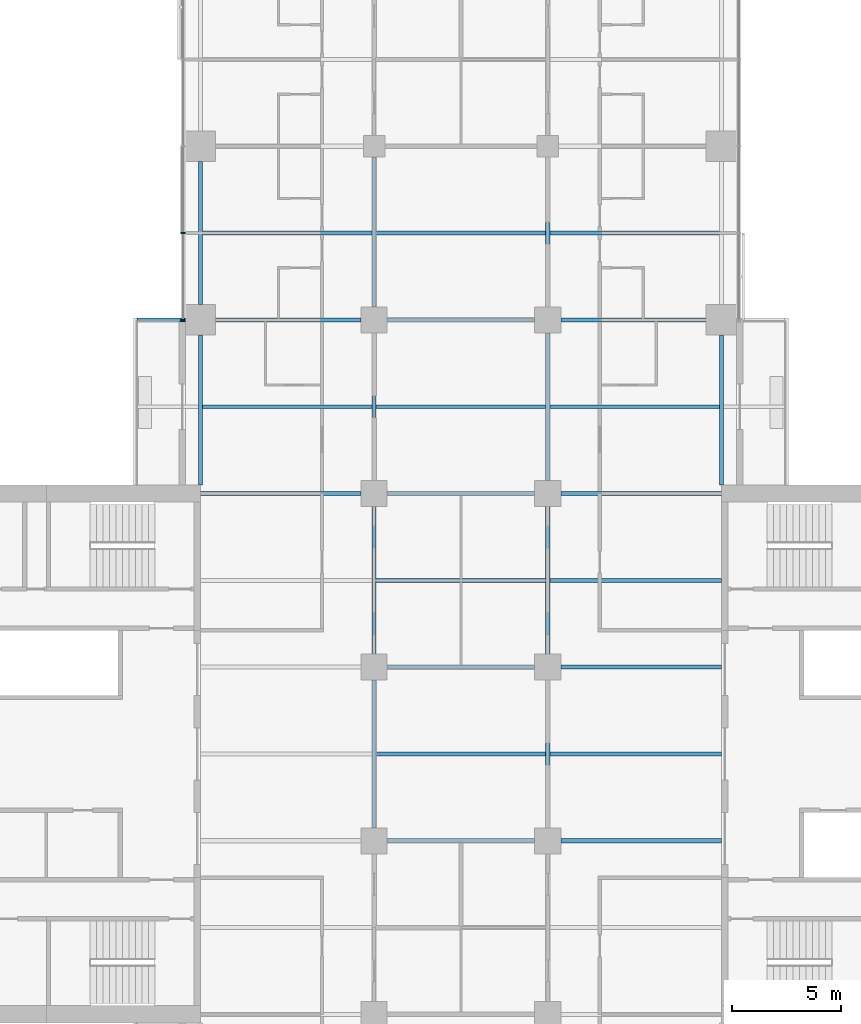
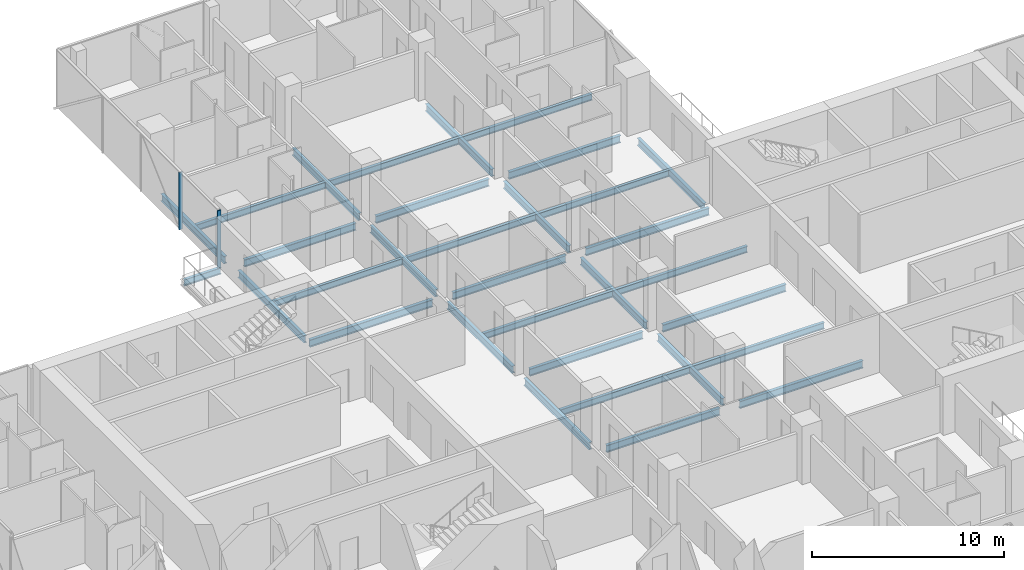
# One storey, part 9 of 29: 32 beams, 2 members, 1 element without a shape of its own.
"""IFC4 building model written with IfcOpenShell, lengths in metres."""

from ifc_helpers import new_model, si_unit, direction, frame, origin, origin_2d, place, context, subcontext, project, spatial, rectangle, i_section, extrude, material, material_profile, profile_set, type_object, element, aggregate, save


model = new_model("IFC4")

# Units and contexts
model_context = context("Model", 3, precision=1e-05, world=origin(), true_north=direction((0.0, 1.0)))
body_context = subcontext(model_context, "Body", "Model", "MODEL_VIEW")
ifc_project = project(units=[si_unit("LENGTHUNIT", "METRE"), si_unit("AREAUNIT", "SQUARE_METRE"), si_unit("VOLUMEUNIT", "CUBIC_METRE"), si_unit("PLANEANGLEUNIT", "RADIAN"), si_unit("MASSUNIT", "GRAM", prefix="KILO")], contexts=[model_context])

# Site, building, storey
site_placement = place(None, origin())
site = spatial("IfcSite", under=ifc_project, at=site_placement, CompositionType="ELEMENT")
building_placement = place(site_placement, origin())
building = spatial("IfcBuilding", under=site, at=building_placement, Name="Crosswind Convention Tower", CompositionType="ELEMENT")
storey_placement = place(building_placement, frame((0.0, 0.0, 53.5)))
storey = spatial("IfcBuildingStorey", under=building, at=storey_placement, Name="L07", CompositionType="ELEMENT", Elevation=53.5)

# Beams
ifc_material_1 = material(Name="Steel S355", Category="steel")
ifc_material_profile_1 = material_profile(ifc_material_1, i_section(OverallWidth=0.177734375, OverallDepth=0.406494140625, WebThickness=0.0078125, FlangeThickness=0.0126953125, FilletRadius=0.01025390625, at=origin_2d()), Name="UB 406x178x60")
ifc_profile_set_1 = profile_set([ifc_material_profile_1], Name="Steel S355")
beam_type_1 = type_object("IfcBeamType", Name="Balcony cantilever UB 406x178x60", PredefinedType="BEAM", material=ifc_profile_set_1)
beam_1_placement = place(storey_placement, frame((112.300048828125, 120.0, -0.483154296875), z_axis=(-1.0, 0.0, 0.0), x_axis=(0.0, -1.0, 0.0)))
element("IfcBeam", 1, at=beam_1_placement, inside=storey, type_object=beam_type_1, Name="B35 L07 balcony cantilever NW 5", PredefinedType="BEAM", context=body_context, shape_type="SweptSolid", body=[
    extrude(i_section(OverallWidth=0.177734375, OverallDepth=0.406494140625, WebThickness=0.0078125, FlangeThickness=0.0126953125, FilletRadius=0.01025390625, at=origin_2d()), origin(), (0.0, 0.0, 1.0), 2.214599609375),
])
ifc_material_profile_2 = material_profile(ifc_material_1, i_section(OverallWidth=0.1904296875, OverallDepth=0.457275390625, WebThickness=0.009033203125, FlangeThickness=0.014404296875, FilletRadius=0.01025390625, at=origin_2d()), Name="UB 457x191x75")
ifc_profile_set_2 = profile_set([ifc_material_profile_2], Name="Steel S355")
beam_type_2 = type_object("IfcBeamType", Name="Edge beam UB 457x191x75", PredefinedType="SPANDREL", material=ifc_profile_set_2)
beam_2_placement = place(storey_placement, frame((113.0, 112.39990234375, -0.508544921875), z_axis=(0.0, 1.0, 0.0), x_axis=(-1.0, 0.0, 0.0)))
element("IfcBeam", 2, at=beam_2_placement, inside=storey, type_object=beam_type_2, Name="B17 L07 edge beam 9", PredefinedType="SPANDREL", context=body_context, shape_type="SweptSolid", body=[
    extrude(i_section(OverallWidth=0.1904296875, OverallDepth=0.457275390625, WebThickness=0.009033203125, FlangeThickness=0.014404296875, FilletRadius=0.01025390625, at=origin_2d()), origin(), (0.0, 0.0, 1.0), 6.900146484375),
])
beam_3_placement = place(storey_placement, frame((113.0, 120.699951171875, -0.508544921875), z_axis=(0.0, 1.0, 0.0), x_axis=(-1.0, 0.0, 0.0)))
element("IfcBeam", 3, at=beam_3_placement, inside=storey, type_object=beam_type_2, Name="B17 L07 edge beam 10", PredefinedType="SPANDREL", context=body_context, shape_type="SweptSolid", body=[
    extrude(i_section(OverallWidth=0.1904296875, OverallDepth=0.457275390625, WebThickness=0.009033203125, FlangeThickness=0.014404296875, FilletRadius=0.01025390625, at=origin_2d()), origin(), (0.0, 0.0, 1.0), 6.60009765625),
])
beam_4_placement = place(storey_placement, frame((137.0, 112.39990234375, -0.508544921875), z_axis=(0.0, 1.0, 0.0), x_axis=(-1.0, 0.0, 0.0)))
element("IfcBeam", 4, at=beam_4_placement, inside=storey, type_object=beam_type_2, Name="B17 L07 edge beam 21", PredefinedType="SPANDREL", context=body_context, shape_type="SweptSolid", body=[
    extrude(i_section(OverallWidth=0.1904296875, OverallDepth=0.457275390625, WebThickness=0.009033203125, FlangeThickness=0.014404296875, FilletRadius=0.01025390625, at=origin_2d()), origin(), (0.0, 0.0, 1.0), 6.900146484375),
])
ifc_material_profile_3 = material_profile(ifc_material_1, i_section(OverallWidth=0.19140625, OverallDepth=0.460205078125, WebThickness=0.010009765625, FlangeThickness=0.01611328125, FilletRadius=0.01025390625, at=origin_2d()), Name="UB 457x191x82")
ifc_profile_set_3 = profile_set([ifc_material_profile_3], Name="Steel S355")
beam_type_3 = type_object("IfcBeamType", Name="Girder UB 457x191x82", PredefinedType="BEAM", material=ifc_profile_set_3)
beam_5_placement = place(storey_placement, frame((113.699951171875, 120.0, -0.510009765625), z_axis=(1.0, 0.0, 0.0), x_axis=(0.0, 1.0, 0.0)))
element("IfcBeam", 5, at=beam_5_placement, inside=storey, type_object=beam_type_3, Name="B3 L07 girder 3", PredefinedType="BEAM", context=body_context, shape_type="SweptSolid", body=[
    extrude(i_section(OverallWidth=0.19140625, OverallDepth=0.460205078125, WebThickness=0.010009765625, FlangeThickness=0.01611328125, FilletRadius=0.01025390625, at=origin_2d()), origin(), (0.0, 0.0, 1.0), 6.699951171875),
])
for number, where, z_axis, x_axis, name in (
    (6, (121.0, 96.60009765625, -0.510009765625), (0.0, 1.0, 0.0), (-1.0, 0.0, 0.0), "B3 L07 girder 9"),
    (7, (121.0, 104.60009765625, -0.510009765625), (0.0, 1.0, 0.0), (-1.0, 0.0, 0.0), "B3 L07 girder 10"),
    (8, (121.0, 112.60009765625, -0.510009765625), (0.0, 1.0, 0.0), (-1.0, 0.0, 0.0), "B3 L07 girder 11"),
):
    element("IfcBeam", number, at=place(storey_placement, frame(where, z_axis=z_axis, x_axis=x_axis)), inside=storey, type_object=beam_type_3, Name=name, PredefinedType="BEAM", context=body_context, shape_type="SweptSolid", body=[
        extrude(i_section(OverallWidth=0.19140625, OverallDepth=0.460205078125, WebThickness=0.010009765625, FlangeThickness=0.01611328125, FilletRadius=0.01025390625, at=origin_2d()), origin(), (0.0, 0.0, 1.0), 6.7998046875),
    ])
beam_6_placement = place(storey_placement, frame((121.0, 120.60009765625, -0.510009765625), z_axis=(0.0, 1.0, 0.0), x_axis=(-1.0, 0.0, 0.0)))
element("IfcBeam", 9, at=beam_6_placement, inside=storey, type_object=beam_type_3, Name="B3 L07 girder 12", PredefinedType="BEAM", context=body_context, shape_type="SweptSolid", body=[
    extrude(i_section(OverallWidth=0.19140625, OverallDepth=0.460205078125, WebThickness=0.010009765625, FlangeThickness=0.01611328125, FilletRadius=0.01025390625, at=origin_2d()), origin(), (0.0, 0.0, 1.0), 6.89990234375),
])
for number, where, z_axis, x_axis, name in (
    (10, (121.60009765625, 96.0, -0.510009765625), (1.0, 0.0, 0.0), (0.0, 1.0, 0.0), "B3 L07 girder 18"),
    (11, (121.60009765625, 104.0, -0.510009765625), (1.0, 0.0, 0.0), (0.0, 1.0, 0.0), "B3 L07 girder 19"),
    (12, (121.60009765625, 112.0, -0.510009765625), (1.0, 0.0, 0.0), (0.0, 1.0, 0.0), "B3 L07 girder 20"),
    (13, (121.60009765625, 120.0, -0.510009765625), (1.0, 0.0, 0.0), (0.0, 1.0, 0.0), "B3 L07 girder 21"),
    (14, (129.0, 96.60009765625, -0.510009765625), (0.0, 1.0, 0.0), (-1.0, 0.0, 0.0), "B3 L07 girder 26"),
    (15, (129.0, 104.60009765625, -0.510009765625), (0.0, 1.0, 0.0), (-1.0, 0.0, 0.0), "B3 L07 girder 27"),
    (16, (129.0, 112.60009765625, -0.510009765625), (0.0, 1.0, 0.0), (-1.0, 0.0, 0.0), "B3 L07 girder 28"),
):
    element("IfcBeam", number, at=place(storey_placement, frame(where, z_axis=z_axis, x_axis=x_axis)), inside=storey, type_object=beam_type_3, Name=name, PredefinedType="BEAM", context=body_context, shape_type="SweptSolid", body=[
        extrude(i_section(OverallWidth=0.19140625, OverallDepth=0.460205078125, WebThickness=0.010009765625, FlangeThickness=0.01611328125, FilletRadius=0.01025390625, at=origin_2d()), origin(), (0.0, 0.0, 1.0), 6.7998046875),
    ])
beam_7_placement = place(storey_placement, frame((129.0, 120.60009765625, -0.510009765625), z_axis=(0.0, 1.0, 0.0), x_axis=(-1.0, 0.0, 0.0)))
element("IfcBeam", 17, at=beam_7_placement, inside=storey, type_object=beam_type_3, Name="B3 L07 girder 29", PredefinedType="BEAM", context=body_context, shape_type="SweptSolid", body=[
    extrude(i_section(OverallWidth=0.19140625, OverallDepth=0.460205078125, WebThickness=0.010009765625, FlangeThickness=0.01611328125, FilletRadius=0.01025390625, at=origin_2d()), origin(), (0.0, 0.0, 1.0), 6.89990234375),
])
beam_8_placement = place(storey_placement, frame((129.60009765625, 120.0, -0.510009765625), z_axis=(1.0, 0.0, 0.0), x_axis=(0.0, 1.0, 0.0)))
element("IfcBeam", 18, at=beam_8_placement, inside=storey, type_object=beam_type_3, Name="B3 L07 girder 34", PredefinedType="BEAM", context=body_context, shape_type="SweptSolid", body=[
    extrude(i_section(OverallWidth=0.19140625, OverallDepth=0.460205078125, WebThickness=0.010009765625, FlangeThickness=0.01611328125, FilletRadius=0.01025390625, at=origin_2d()), origin(), (0.0, 0.0, 1.0), 6.699951171875),
])
ifc_material_profile_4 = material_profile(ifc_material_1, i_section(OverallWidth=0.19189453125, OverallDepth=0.463623046875, WebThickness=0.010498046875, FlangeThickness=0.017578125, FilletRadius=0.01025390625, at=origin_2d()), Name="UB 457x191x90")
ifc_profile_set_4 = profile_set([ifc_material_profile_4], Name="Steel S355")
beam_type_4 = type_object("IfcBeamType", Name="Girder at core wall UB 457x191x90", PredefinedType="BEAM", material=ifc_profile_set_4)
for number, where, z_axis, x_axis, name in (
    (19, (113.0, 112.0, -0.51171875), (1.0, 0.0, 0.0), (0.0, 1.0, 0.0), "B24 L07 girder at core wall 6"),
    (20, (129.60009765625, 96.0, -0.51171875), (1.0, 0.0, 0.0), (0.0, 1.0, 0.0), "B24 L07 girder at core wall 8"),
    (21, (129.60009765625, 104.0, -0.51171875), (1.0, 0.0, 0.0), (0.0, 1.0, 0.0), "B24 L07 girder at core wall 9"),
    (22, (129.60009765625, 112.0, -0.51171875), (1.0, 0.0, 0.0), (0.0, 1.0, 0.0), "B24 L07 girder at core wall 10"),
):
    element("IfcBeam", number, at=place(storey_placement, frame(where, z_axis=z_axis, x_axis=x_axis)), inside=storey, type_object=beam_type_4, Name=name, PredefinedType="BEAM", context=body_context, shape_type="SweptSolid", body=[
        extrude(i_section(OverallWidth=0.19189453125, OverallDepth=0.463623046875, WebThickness=0.010498046875, FlangeThickness=0.017578125, FilletRadius=0.01025390625, at=origin_2d()), origin(), (0.0, 0.0, 1.0), 7.39990234375),
    ])

# Curtain wall, members
ifc_material_2 = material(Name="Aluminium unitised curtain wall", Category="aluminium")
curtain_wall_type = type_object("IfcCurtainWallType", Name="HOTEL UNITISED WALL 200", PredefinedType="USERDEFINED", material=ifc_material_2)
curtain_wall_placement = place(storey_placement, origin())
curtain_wall = element("IfcCurtainWall", 23, at=curtain_wall_placement, inside=storey, type_object=curtain_wall_type, Name="CW2 L07 N-W 1", ObjectType="UNITISED", PredefinedType="USERDEFINED")
ifc_material_3 = material(Name="Aluminium mullion", Category="aluminium")
ifc_material_profile_5 = material_profile(ifc_material_3, rectangle(XDim=0.199951171875, YDim=0.06494140625, at=origin_2d()), Name="AL 200X65")
ifc_profile_set_5 = profile_set([ifc_material_profile_5], Name="Aluminium mullion")
member_type = type_object("IfcMemberType", Name="MULLION 65X200", PredefinedType="MULLION", material=ifc_profile_set_5)
member_1_placement = place(storey_placement, frame((112.199951171875, 124.0, -0.280029296875), z_axis=(0.0, 0.0, 1.0), x_axis=(-1.0, 0.0, 0.0)))
member_1 = element("IfcMember", 24, at=member_1_placement, type_object=member_type, Name="CW2 mullion 4", PredefinedType="MULLION", context=body_context, shape_type="SweptSolid", body=[
    extrude(rectangle(XDim=0.199951171875, YDim=0.06494140625, at=origin_2d()), origin(), (0.0, 0.0, 1.0), 3.635009765625),
])
member_2_placement = place(storey_placement, frame((112.199951171875, 120.0, -0.280029296875), z_axis=(0.0, 0.0, 1.0), x_axis=(-1.0, 0.0, 0.0)))
member_2 = element("IfcMember", 25, at=member_2_placement, type_object=member_type, Name="CW2 mullion 5", PredefinedType="MULLION", context=body_context, shape_type="SweptSolid", body=[
    extrude(rectangle(XDim=0.199951171875, YDim=0.06494140625, at=origin_2d()), origin(), (0.0, 0.0, 1.0), 3.635009765625),
])
aggregate(curtain_wall, [member_1, member_2])

# Beams
ifc_material_profile_6 = material_profile(ifc_material_1, i_section(OverallWidth=0.177734375, OverallDepth=0.406494140625, WebThickness=0.0078125, FlangeThickness=0.0126953125, FilletRadius=0.01025390625, at=origin_2d()), Name="UB 406x178x60")
ifc_profile_set_6 = profile_set([ifc_material_profile_6], Name="Steel S355")
beam_type_5 = type_object("IfcBeamType", Name="Secondary beam UB 406x178x60", PredefinedType="JOIST", material=ifc_profile_set_6)
for number, where, z_axis, x_axis, name in (
    (26, (113.09521484375, 116.0, -0.483154296875), (1.0, 0.0, 0.0), (0.0, 1.0, 0.0), "B10 L07 secondary beam 10"),
    (27, (113.09521484375, 124.0, -0.483154296875), (1.0, 0.0, 0.0), (0.0, 1.0, 0.0), "B10 L07 secondary beam 11"),
):
    element("IfcBeam", number, at=place(storey_placement, frame(where, z_axis=z_axis, x_axis=x_axis)), inside=storey, type_object=beam_type_5, Name=name, PredefinedType="JOIST", context=body_context, shape_type="SweptSolid", body=[
        extrude(i_section(OverallWidth=0.177734375, OverallDepth=0.406494140625, WebThickness=0.0078125, FlangeThickness=0.0126953125, FilletRadius=0.01025390625, at=origin_2d()), origin(), (0.0, 0.0, 1.0), 7.80908203125),
    ])
for number, where, z_axis, x_axis, name in (
    (28, (121.095703125, 100.0, -0.483154296875), (1.0, 0.0, 0.0), (0.0, 1.0, 0.0), "B10 L07 secondary beam 17"),
    (29, (121.095703125, 108.0, -0.483154296875), (1.0, 0.0, 0.0), (0.0, 1.0, 0.0), "B10 L07 secondary beam 18"),
    (30, (121.095703125, 116.0, -0.483154296875), (1.0, 0.0, 0.0), (0.0, 1.0, 0.0), "B10 L07 secondary beam 19"),
    (31, (121.095703125, 124.0, -0.483154296875), (1.0, 0.0, 0.0), (0.0, 1.0, 0.0), "B10 L07 secondary beam 20"),
):
    element("IfcBeam", number, at=place(storey_placement, frame(where, z_axis=z_axis, x_axis=x_axis)), inside=storey, type_object=beam_type_5, Name=name, PredefinedType="JOIST", context=body_context, shape_type="SweptSolid", body=[
        extrude(i_section(OverallWidth=0.177734375, OverallDepth=0.406494140625, WebThickness=0.0078125, FlangeThickness=0.0126953125, FilletRadius=0.01025390625, at=origin_2d()), origin(), (0.0, 0.0, 1.0), 7.80859375),
    ])
for number, where, z_axis, x_axis, name in (
    (32, (129.095703125, 100.0, -0.483154296875), (1.0, 0.0, 0.0), (0.0, 1.0, 0.0), "B10 L07 secondary beam 26"),
    (33, (129.095703125, 108.0, -0.483154296875), (1.0, 0.0, 0.0), (0.0, 1.0, 0.0), "B10 L07 secondary beam 27"),
):
    element("IfcBeam", number, at=place(storey_placement, frame(where, z_axis=z_axis, x_axis=x_axis)), inside=storey, type_object=beam_type_5, Name=name, PredefinedType="JOIST", context=body_context, shape_type="SweptSolid", body=[
        extrude(i_section(OverallWidth=0.177734375, OverallDepth=0.406494140625, WebThickness=0.0078125, FlangeThickness=0.0126953125, FilletRadius=0.01025390625, at=origin_2d()), origin(), (0.0, 0.0, 1.0), 7.904296875),
    ])
for number, where, z_axis, x_axis, name in (
    (34, (129.095703125, 116.0, -0.483154296875), (1.0, 0.0, 0.0), (0.0, 1.0, 0.0), "B10 L07 secondary beam 28"),
    (35, (129.095703125, 124.0, -0.483154296875), (1.0, 0.0, 0.0), (0.0, 1.0, 0.0), "B10 L07 secondary beam 29"),
):
    element("IfcBeam", number, at=place(storey_placement, frame(where, z_axis=z_axis, x_axis=x_axis)), inside=storey, type_object=beam_type_5, Name=name, PredefinedType="JOIST", context=body_context, shape_type="SweptSolid", body=[
        extrude(i_section(OverallWidth=0.177734375, OverallDepth=0.406494140625, WebThickness=0.0078125, FlangeThickness=0.0126953125, FilletRadius=0.01025390625, at=origin_2d()), origin(), (0.0, 0.0, 1.0), 7.80908203125),
    ])

save(model, "model.ifc")
